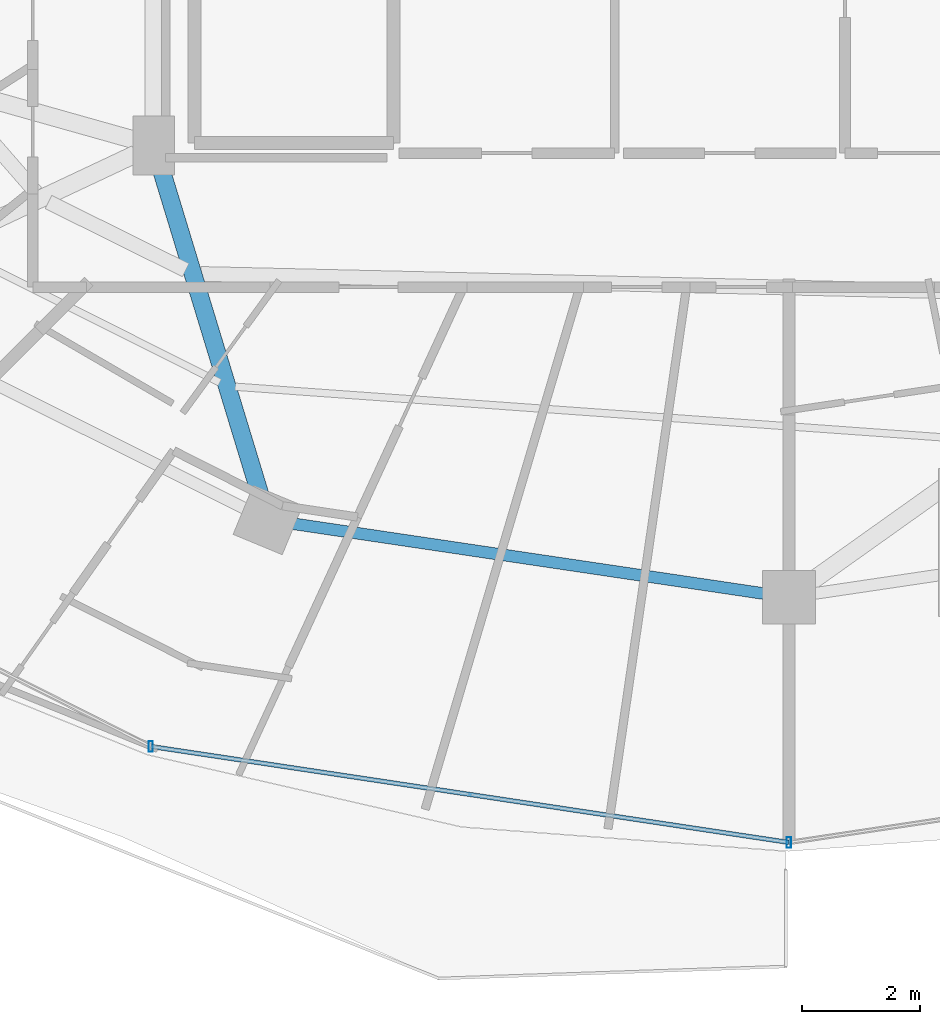
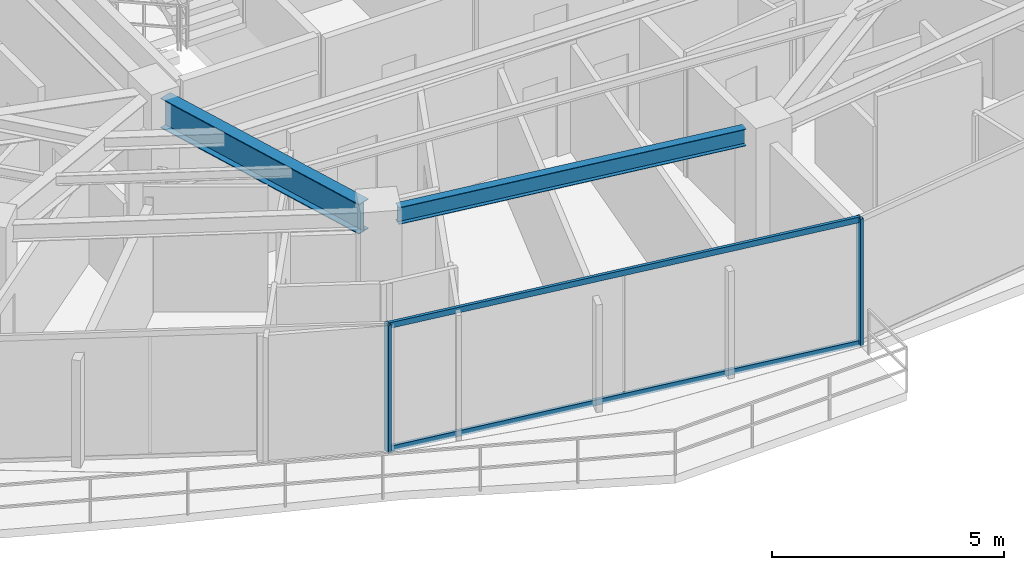
# One storey, part 5 of 33: 4 members, 2 beams, 1 element without a shape of its own.
"""IFC4 building model written with IfcOpenShell, lengths in metres."""

from ifc_helpers import new_model, si_unit, direction, frame, origin, origin_2d, place, context, subcontext, project, spatial, hollow_rectangle, i_section, extrude, material, material_profile, profile_set, type_object, element, aggregate, save


model = new_model("IFC4")

# Units and contexts
model_context = context("Model", 3, precision=1e-05, world=origin(), true_north=direction((0.0, 1.0)))
body_context = subcontext(model_context, "Body", "Model", "MODEL_VIEW")
ifc_project = project(units=[si_unit("LENGTHUNIT", "METRE"), si_unit("AREAUNIT", "SQUARE_METRE"), si_unit("VOLUMEUNIT", "CUBIC_METRE"), si_unit("PLANEANGLEUNIT", "RADIAN"), si_unit("MASSUNIT", "GRAM", prefix="KILO")], contexts=[model_context])

# Site, building, storey
site_placement = place(None, origin())
site = spatial("IfcSite", under=ifc_project, at=site_placement, CompositionType="ELEMENT")
building_placement = place(site_placement, origin())
building = spatial("IfcBuilding", under=site, at=building_placement, Name="Vorneva Point Tower", CompositionType="ELEMENT")
storey_placement = place(building_placement, frame((0.0, 0.0, 200.10009765625)))
storey = spatial("IfcBuildingStorey", under=building, at=storey_placement, Name="L54", CompositionType="ELEMENT", Elevation=200.10009765625)

# Beams
ifc_material_1 = material(Name="Steel S355", Category="steel")
ifc_material_profile_1 = material_profile(ifc_material_1, i_section(OverallWidth=0.300048828125, OverallDepth=0.7880859375, WebThickness=0.014404296875, FlangeThickness=0.02197265625, at=origin_2d()), Name="80Sh1")
ifc_profile_set_1 = profile_set([ifc_material_profile_1], Name="Steel S355")
beam_type_1 = type_object("IfcBeamType", Name="BM-GRD-80Sh1", PredefinedType="USERDEFINED", material=ifc_profile_set_1)
beam_1_placement = place(storey_placement, frame((29.051513671875, 10.5283203125, 2.89599609375), z_axis=(-0.291025429135, 0.956715317948, 0.0), x_axis=(-0.956715317948, -0.291025429135, 0.0)))
element("IfcBeam", 1, at=beam_1_placement, inside=storey, type_object=beam_type_1, Name="L54 Radial Primary Girder 12", ObjectType="GIRDER", PredefinedType="USERDEFINED", context=body_context, shape_type="SweptSolid", body=[
    extrude(i_section(OverallWidth=0.300048828125, OverallDepth=0.7880859375, WebThickness=0.014404296875, FlangeThickness=0.02197265625, at=origin_2d()), origin(), (0.0, 0.0, 1.0), 5.849609375),
])
ifc_material_profile_2 = material_profile(ifc_material_1, i_section(OverallWidth=0.198974609375, OverallDepth=0.446044921875, WebThickness=0.008056640625, FlangeThickness=0.011962890625, at=origin_2d()), Name="45B1")
ifc_profile_set_2 = profile_set([ifc_material_profile_2], Name="Steel S355")
beam_type_2 = type_object("IfcBeamType", Name="BM-SPN-45B1", PredefinedType="SPANDREL", material=ifc_profile_set_2)
beam_2_placement = place(storey_placement, frame((29.609375, 10.04541015625, 3.06689453125), z_axis=(0.989165476332, -0.146804837907, 0.0), x_axis=(0.146804837907, 0.989165476332, 0.0)))
element("IfcBeam", 2, at=beam_2_placement, inside=storey, type_object=beam_type_2, Name="L54 Perimeter Spandrel Ring Beam 12", PredefinedType="SPANDREL", context=body_context, shape_type="SweptSolid", body=[
    extrude(i_section(OverallWidth=0.198974609375, OverallDepth=0.446044921875, WebThickness=0.008056640625, FlangeThickness=0.011962890625, at=origin_2d()), origin(), (0.0, 0.0, 1.0), 8.04736328125),
])

# Curtain wall, members
ifc_material_2 = material(Name="Pale anodised aluminium", Category="aluminium")
curtain_wall_type = type_object("IfcCurtainWallType", Name="CW-RES-SYS", PredefinedType="NOTDEFINED", material=ifc_material_2)
curtain_wall_placement = place(storey_placement, origin())
curtain_wall = element("IfcCurtainWall", 3, at=curtain_wall_placement, inside=storey, type_object=curtain_wall_type, Name="L54 Unitised Curtain Wall CW-L54-R03", PredefinedType="NOTDEFINED")
ifc_material_profile_3 = material_profile(ifc_material_2, hollow_rectangle(XDim=0.074951171875, YDim=0.179931640625, WallThickness=0.00390625, at=origin_2d()), Name="AL-MUL 180x75x4")
ifc_profile_set_3 = profile_set([ifc_material_profile_3], Name="Pale anodised aluminium")
member_type_1 = type_object("IfcMemberType", Name="CW-MUL-180", PredefinedType="MULLION", material=ifc_profile_set_3)
member_1_placement = place(storey_placement, frame((27.19677734375, 6.275146484375, -0.0400390625), z_axis=(0.0, 0.0, 1.0), x_axis=(1.0, 0.0, 0.0)))
member_1 = element("IfcMember", 4, at=member_1_placement, type_object=member_type_1, Name="CW-L54-R03 Mullion 03", PredefinedType="MULLION", context=body_context, shape_type="SweptSolid", body=[
    extrude(hollow_rectangle(XDim=0.074951171875, YDim=0.179931640625, WallThickness=0.00390625, at=origin_2d()), origin(), (0.0, 0.0, 1.0), 3.35986328125),
])
member_2_placement = place(storey_placement, frame((38.0, 4.64990234375, -0.0400390625), z_axis=(0.0, 0.0, 1.0), x_axis=(1.0, 0.0, 0.0)))
member_2 = element("IfcMember", 5, at=member_2_placement, type_object=member_type_1, Name="CW-L54-R03 Mullion 04", PredefinedType="MULLION", context=body_context, shape_type="SweptSolid", body=[
    extrude(hollow_rectangle(XDim=0.074951171875, YDim=0.179931640625, WallThickness=0.00390625, at=origin_2d()), origin(), (0.0, 0.0, 1.0), 3.35986328125),
])
ifc_material_profile_4 = material_profile(ifc_material_2, hollow_rectangle(XDim=0.074951171875, YDim=0.14990234375, WallThickness=0.00390625, at=origin_2d()), Name="AL-TRN 150x75x4")
ifc_profile_set_4 = profile_set([ifc_material_profile_4], Name="Pale anodised aluminium")
member_type_2 = type_object("IfcMemberType", Name="CW-TRN-150", PredefinedType="USERDEFINED", material=ifc_profile_set_4)
member_3_placement = place(storey_placement, frame((27.19677734375, 6.275146484375, 0.02001953125), z_axis=(0.988872333273, -0.148766624239, 0.0), x_axis=(0.148766624239, 0.988872333273, 0.0)))
member_3 = element("IfcMember", 6, at=member_3_placement, type_object=member_type_2, Name="CW-L54-R03 Transom 03.1", ObjectType="TRANSOM", PredefinedType="USERDEFINED", context=body_context, shape_type="SweptSolid", body=[
    extrude(hollow_rectangle(XDim=0.074951171875, YDim=0.14990234375, WallThickness=0.00390625, at=origin_2d()), origin(), (0.0, 0.0, 1.0), 10.9248046875),
])
member_4_placement = place(storey_placement, frame((27.19677734375, 6.275146484375, 3.27001953125), z_axis=(0.988872333273, -0.148766624239, 0.0), x_axis=(0.148766624239, 0.988872333273, 0.0)))
member_4 = element("IfcMember", 7, at=member_4_placement, type_object=member_type_2, Name="CW-L54-R03 Transom 03.2", ObjectType="TRANSOM", PredefinedType="USERDEFINED", context=body_context, shape_type="SweptSolid", body=[
    extrude(hollow_rectangle(XDim=0.074951171875, YDim=0.14990234375, WallThickness=0.00390625, at=origin_2d()), origin(), (0.0, 0.0, 1.0), 10.9248046875),
])
aggregate(curtain_wall, [member_1, member_2, member_3, member_4])

save(model, "model.ifc")
